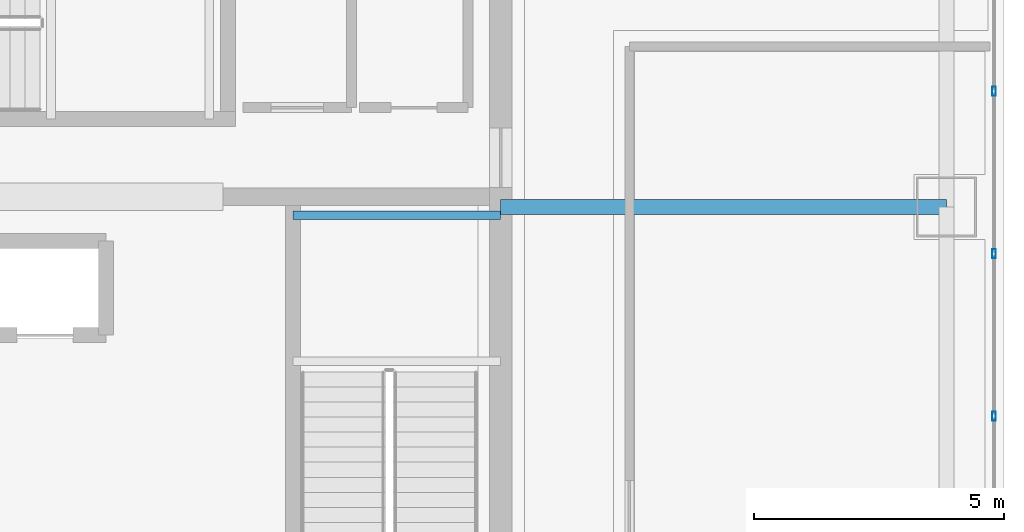
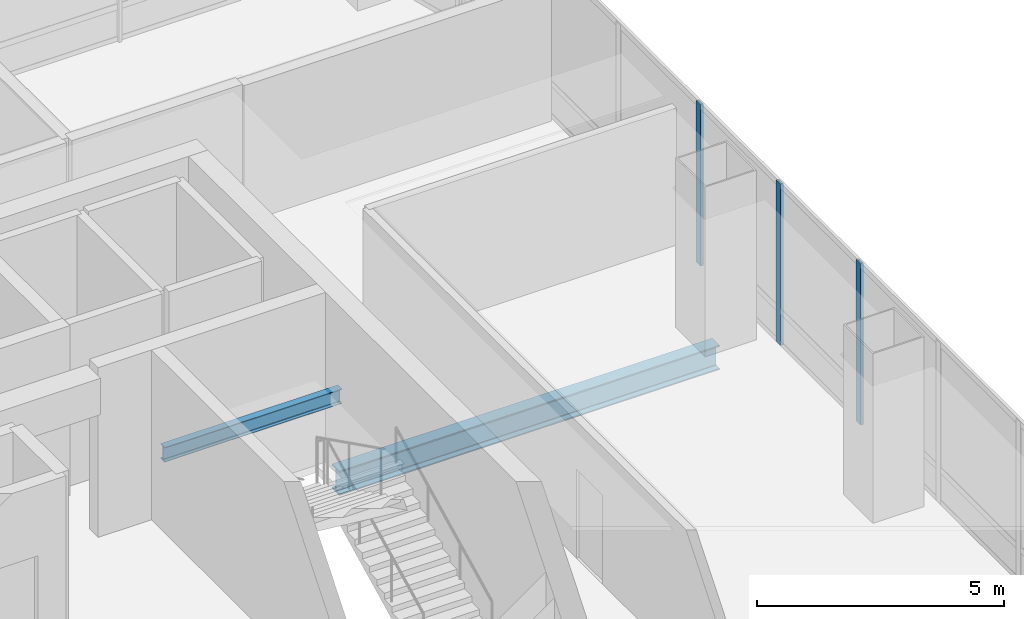
# One storey, part 22 of 42: 3 members, 2 beams, 1 element without a shape of its own.
"""IFC4 building model written with IfcOpenShell, lengths in metres."""

from ifc_helpers import new_model, si_unit, direction, frame, origin, origin_2d, place, context, subcontext, project, spatial, hollow_rectangle, i_section, extrude, material, material_profile, profile_set, type_object, element, aggregate, save


model = new_model("IFC4")

# Units and contexts
model_context = context("Model", 3, precision=1e-05, world=origin(), true_north=direction((0.0, 1.0)))
body_context = subcontext(model_context, "Body", "Model", "MODEL_VIEW")
ifc_project = project(units=[si_unit("LENGTHUNIT", "METRE"), si_unit("AREAUNIT", "SQUARE_METRE"), si_unit("VOLUMEUNIT", "CUBIC_METRE"), si_unit("PLANEANGLEUNIT", "RADIAN"), si_unit("MASSUNIT", "GRAM", prefix="KILO")], contexts=[model_context])

# Site, building, storey
site_placement = place(None, origin())
site = spatial("IfcSite", under=ifc_project, at=site_placement, CompositionType="ELEMENT")
building_placement = place(site_placement, origin())
building = spatial("IfcBuilding", under=site, at=building_placement, Name="Punatoya Terracotta Tower", CompositionType="ELEMENT")
storey_placement = place(building_placement, frame((0.0, 0.0, 325.800048828125)))
storey = spatial("IfcBuildingStorey", under=building, at=storey_placement, Name="L77", CompositionType="ELEMENT", Elevation=325.800048828125)

# Beams
ifc_material_1 = material(Name="Steel S355", Category="steel")
ifc_material_profile_1 = material_profile(ifc_material_1, i_section(OverallWidth=0.300048828125, OverallDepth=0.60009765625, WebThickness=0.015380859375, FlangeThickness=0.030029296875, FilletRadius=0.01806640625, at=origin_2d()))
ifc_profile_set_1 = profile_set([ifc_material_profile_1], Name="Steel S355")
beam_type_1 = type_object("IfcBeamType", Name="BM-PRI-600", PredefinedType="BEAM", material=ifc_profile_set_1)
beam_1_placement = place(storey_placement, frame((10.199951171875, 3.39990234375, -0.5), z_axis=(1.0, 0.0, 0.0), x_axis=(0.0, 1.0, 0.0)))
element("IfcBeam", 1, at=beam_1_placement, inside=storey, type_object=beam_type_1, Name="BM-L77-PR-EE", PredefinedType="BEAM", context=body_context, shape_type="SweptSolid", body=[
    extrude(i_section(OverallWidth=0.300048828125, OverallDepth=0.60009765625, WebThickness=0.015380859375, FlangeThickness=0.030029296875, FilletRadius=0.01806640625, at=origin_2d()), origin(), (0.0, 0.0, 1.0), 8.900146484375),
])
ifc_material_profile_2 = material_profile(ifc_material_1, i_section(OverallWidth=0.169921875, OverallDepth=0.360107421875, WebThickness=0.008056640625, FlangeThickness=0.0126953125, FilletRadius=0.01806640625, at=origin_2d()))
ifc_profile_set_2 = profile_set([ifc_material_profile_2], Name="Steel S355")
beam_type_2 = type_object("IfcBeamType", Name="BM-SEC-360", PredefinedType="JOIST", material=ifc_profile_set_2)
beam_2_placement = place(storey_placement, frame((6.050048828125, 3.22998046875, 1.719970703125), z_axis=(1.0, 0.0, 0.0), x_axis=(0.0, 1.0, 0.0)))
element("IfcBeam", 2, at=beam_2_placement, inside=storey, type_object=beam_type_2, Name="BM-L77-ST-2-LD1B", PredefinedType="JOIST", context=body_context, shape_type="SweptSolid", body=[
    extrude(i_section(OverallWidth=0.169921875, OverallDepth=0.360107421875, WebThickness=0.008056640625, FlangeThickness=0.0126953125, FilletRadius=0.01806640625, at=origin_2d()), origin(), (0.0, 0.0, 1.0), 4.14990234375),
])

# Curtain wall, members
ifc_material_2 = material(Name="Aluminium 6063-T6 + Double Low-E Glass", Category="aluminium")
curtain_wall_type = type_object("IfcCurtainWallType", Name="CW-OBS", PredefinedType="NOTDEFINED", material=ifc_material_2)
curtain_wall_placement = place(storey_placement, origin())
curtain_wall = element("IfcCurtainWall", 3, at=curtain_wall_placement, inside=storey, type_object=curtain_wall_type, Name="L77 Curtain Wall CW-L77-E05-1", PredefinedType="NOTDEFINED")
ifc_material_3 = material(Name="Aluminium 6063-T6", Category="aluminium")
ifc_material_profile_3 = material_profile(ifc_material_3, hollow_rectangle(XDim=0.070068359375, YDim=0.179931640625, WallThickness=0.00390625, at=origin_2d()))
ifc_profile_set_3 = profile_set([ifc_material_profile_3], Name="Aluminium 6063-T6")
member_type = type_object("IfcMemberType", Name="CW-MUL-M3", PredefinedType="MULLION", material=ifc_profile_set_3)
member_1_placement = place(storey_placement, frame((20.050048828125, -0.778564453125, 0.0), z_axis=(0.0, 0.0, 1.0), x_axis=(1.0, 0.0, 0.0)))
member_1 = element("IfcMember", 4, at=member_1_placement, type_object=member_type, Name="CW-L77-E05-1 Mullion 06", PredefinedType="MULLION", context=body_context, shape_type="SweptSolid", body=[
    extrude(hollow_rectangle(XDim=0.070068359375, YDim=0.179931640625, WallThickness=0.00390625, at=origin_2d()), origin(), (0.0, 0.0, 1.0), 4.0),
])
member_2_placement = place(storey_placement, frame((20.050048828125, 2.464599609375, 0.0), z_axis=(0.0, 0.0, 1.0), x_axis=(1.0, 0.0, 0.0)))
member_2 = element("IfcMember", 5, at=member_2_placement, type_object=member_type, Name="CW-L77-E05-1 Mullion 07", PredefinedType="MULLION", context=body_context, shape_type="SweptSolid", body=[
    extrude(hollow_rectangle(XDim=0.070068359375, YDim=0.179931640625, WallThickness=0.00390625, at=origin_2d()), origin(), (0.0, 0.0, 1.0), 4.0),
])
member_3_placement = place(storey_placement, frame((20.050048828125, 5.707763671875, 0.0), z_axis=(0.0, 0.0, 1.0), x_axis=(1.0, 0.0, 0.0)))
member_3 = element("IfcMember", 6, at=member_3_placement, type_object=member_type, Name="CW-L77-E05-1 Mullion 08", PredefinedType="MULLION", context=body_context, shape_type="SweptSolid", body=[
    extrude(hollow_rectangle(XDim=0.070068359375, YDim=0.179931640625, WallThickness=0.00390625, at=origin_2d()), origin(), (0.0, 0.0, 1.0), 4.0),
])
aggregate(curtain_wall, [member_1, member_2, member_3])

save(model, "model.ifc")
